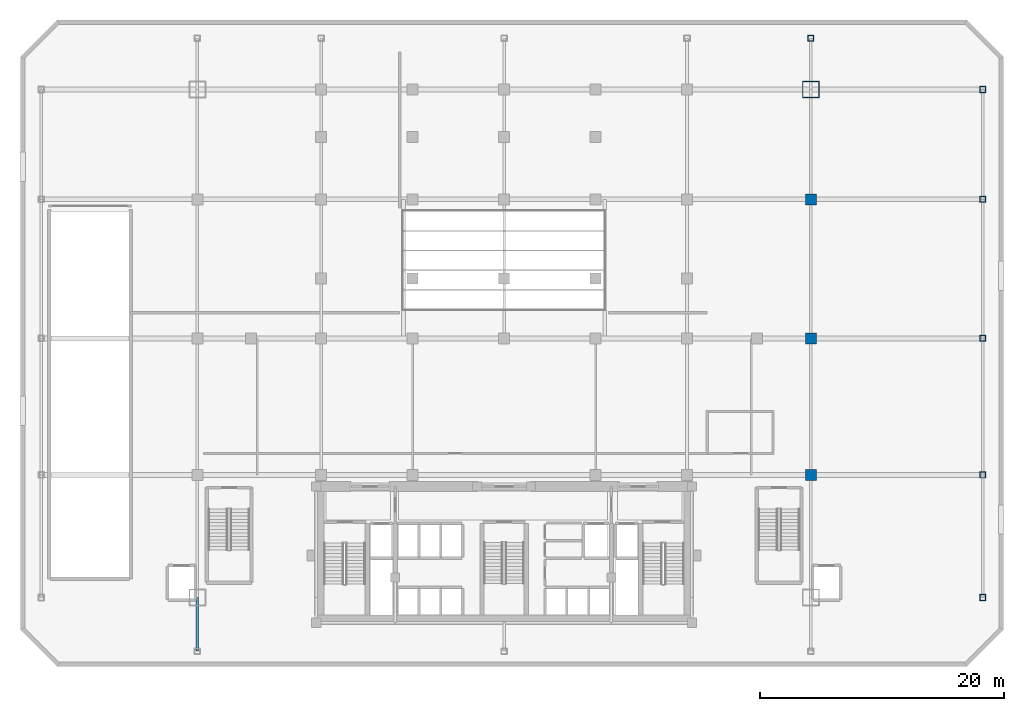
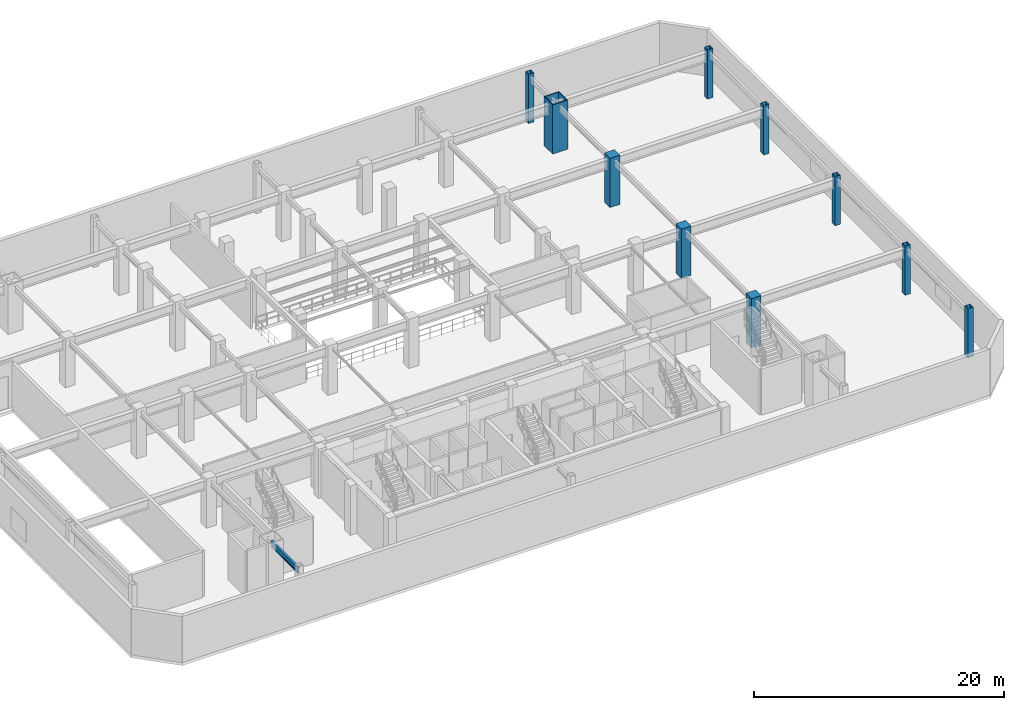
# One storey, part 2 of 10: 10 columns, 1 beam.
"""IFC4 building model written with IfcOpenShell, lengths in metres."""

from ifc_helpers import new_model, si_unit, direction, frame, origin, origin_2d, place, context, subcontext, project, spatial, rectangle, hollow_rectangle, i_section, extrude, material, material_profile, profile_set, type_object, element, save


model = new_model("IFC4")

# Units and contexts
model_context = context("Model", 3, precision=1e-05, world=origin(), true_north=direction((0.0, 1.0)))
body_context = subcontext(model_context, "Body", "Model", "MODEL_VIEW")
ifc_project = project(units=[si_unit("LENGTHUNIT", "METRE"), si_unit("AREAUNIT", "SQUARE_METRE"), si_unit("VOLUMEUNIT", "CUBIC_METRE"), si_unit("PLANEANGLEUNIT", "RADIAN"), si_unit("MASSUNIT", "GRAM", prefix="KILO")], contexts=[model_context])

# Site, building, storey
site_placement = place(None, origin())
site = spatial("IfcSite", under=ifc_project, at=site_placement, CompositionType="ELEMENT")
building_placement = place(site_placement, origin())
building = spatial("IfcBuilding", under=site, at=building_placement, Name="Ventersveld Concourse Tower", CompositionType="ELEMENT")
storey_placement = place(building_placement, frame((0.0, 0.0, 15.0)))
storey = spatial("IfcBuildingStorey", under=building, at=storey_placement, Name="L03", CompositionType="ELEMENT", Elevation=15.0)

# Columns
ifc_material_1 = material(Name="Structural steel S355ML", Category="steel")
ifc_material_profile_1 = material_profile(ifc_material_1, hollow_rectangle(XDim=0.5, YDim=0.5, WallThickness=0.031982421875, at=origin_2d()), Name="BOX 500x500x32")
ifc_profile_set_1 = profile_set([ifc_material_profile_1], Name="Structural steel S355ML")
column_type_1 = type_object("IfcColumnType", Name="COL-BOX500", PredefinedType="COLUMN", material=ifc_profile_set_1)
for number, where, z_axis, x_axis, name in (
    (1, (68.0, 2.35009765625, 0.0), (0.0, 0.0, 1.0), (1.0, 0.0, 0.0), "L03 Podium Perimeter Column 06"),
    (2, (68.0, 12.39990234375, 0.0), (0.0, 0.0, 1.0), (1.0, 0.0, 0.0), "L03 Podium Perimeter Column 07"),
    (3, (68.0, 23.60009765625, 0.0), (0.0, 0.0, 1.0), (1.0, 0.0, 0.0), "L03 Podium Perimeter Column 08"),
    (4, (68.0, 35.0, 0.0), (0.0, 0.0, 1.0), (1.0, 0.0, 0.0), "L03 Podium Perimeter Column 09"),
    (5, (68.0, 44.0, 0.0), (0.0, 0.0, 1.0), (1.0, 0.0, 0.0), "L03 Podium Perimeter Column 10"),
    (6, (53.89990234375, 48.199951171875, 0.0), (0.0, 0.0, 1.0), (1.0, 0.0, 0.0), "L03 Podium Perimeter Column 15"),
):
    element("IfcColumn", number, at=place(storey_placement, frame(where, z_axis=z_axis, x_axis=x_axis)), inside=storey, type_object=column_type_1, Name=name, PredefinedType="COLUMN", context=body_context, shape_type="SweptSolid", body=[
        extrude(hollow_rectangle(XDim=0.5, YDim=0.5, WallThickness=0.031982421875, at=origin_2d()), origin(), (0.0, 0.0, 1.0), 4.800048828125),
    ])
ifc_material_2 = material(Name="Concrete C60/75", Category="concrete")
ifc_material_profile_2 = material_profile(ifc_material_2, rectangle(XDim=0.89990234375, YDim=0.89990234375, at=origin_2d()), Name="RC 900x900")
ifc_profile_set_2 = profile_set([ifc_material_profile_2], Name="Concrete C60/75")
column_type_2 = type_object("IfcColumnType", Name="COL-RC900", PredefinedType="COLUMN", material=ifc_profile_set_2)
for number, where, z_axis, x_axis, name in (
    (7, (53.89990234375, 12.39990234375, 0.0), (0.0, 0.0, 1.0), (1.0, 0.0, 0.0), "L03 Station Grid Column G8B-C"),
    (8, (53.89990234375, 23.60009765625, 0.0), (0.0, 0.0, 1.0), (1.0, 0.0, 0.0), "L03 Station Grid Column G8B-D"),
    (9, (53.89990234375, 35.0, 0.0), (0.0, 0.0, 1.0), (1.0, 0.0, 0.0), "L03 Station Grid Column G8B-E"),
):
    element("IfcColumn", number, at=place(storey_placement, frame(where, z_axis=z_axis, x_axis=x_axis)), inside=storey, type_object=column_type_2, Name=name, PredefinedType="COLUMN", context=body_context, shape_type="SweptSolid", body=[
        extrude(rectangle(XDim=0.89990234375, YDim=0.89990234375, at=origin_2d()), origin(), (0.0, 0.0, 1.0), 4.800048828125),
    ])
ifc_material_3 = material(Name="Structural steel S460ML", Category="steel")
ifc_material_profile_3 = material_profile(ifc_material_3, hollow_rectangle(XDim=1.39990234375, YDim=1.39990234375, WallThickness=0.080078125, at=origin_2d()), Name="BOX 1400x1400x80")
ifc_profile_set_3 = profile_set([ifc_material_profile_3], Name="Structural steel S460ML")
column_type_3 = type_object("IfcColumnType", Name="MC-1400", PredefinedType="USERDEFINED", material=ifc_profile_set_3)
column_placement = place(storey_placement, frame((53.89990234375, 44.0, 0.0), z_axis=(0.0, 0.0, 1.0), x_axis=(1.0, 0.0, 0.0)))
element("IfcColumn", 10, at=column_placement, inside=storey, type_object=column_type_3, Name="L03 Corner Mega-Column MC-NE", ObjectType="MEGA_COLUMN", PredefinedType="USERDEFINED", context=body_context, shape_type="SweptSolid", body=[
    extrude(hollow_rectangle(XDim=1.39990234375, YDim=1.39990234375, WallThickness=0.080078125, at=origin_2d()), origin(), (0.0, 0.0, 1.0), 4.800048828125),
])

# Beam
ifc_material_4 = material(Name="Structural steel S355J2", Category="steel")
ifc_material_profile_4 = material_profile(ifc_material_4, i_section(OverallWidth=0.209228515625, OverallDepth=0.533203125, WebThickness=0.010009765625, FlangeThickness=0.015625, FilletRadius=0.0126953125, at=origin_2d()), Name="UB 533x210x92")
ifc_profile_set_4 = profile_set([ifc_material_profile_4], Name="Structural steel S355J2")
beam_type = type_object("IfcBeamType", Name="GRD-UB533", PredefinedType="T_BEAM", material=ifc_profile_set_4)
beam_placement = place(storey_placement, frame((3.60009765625, -2.050048828125, 4.2333984375), z_axis=(0.0, 1.0, 0.0), x_axis=(-1.0, 0.0, 0.0)))
element("IfcBeam", 11, at=beam_placement, inside=storey, type_object=beam_type, Name="L03 Podium N-S Girder X=3.60m", PredefinedType="T_BEAM", context=body_context, shape_type="SweptSolid", body=[
    extrude(i_section(OverallWidth=0.209228515625, OverallDepth=0.533203125, WebThickness=0.010009765625, FlangeThickness=0.015625, FilletRadius=0.0126953125, at=origin_2d()), origin(), (0.0, 0.0, 1.0), 4.400146484375),
])

save(model, "model.ifc")
